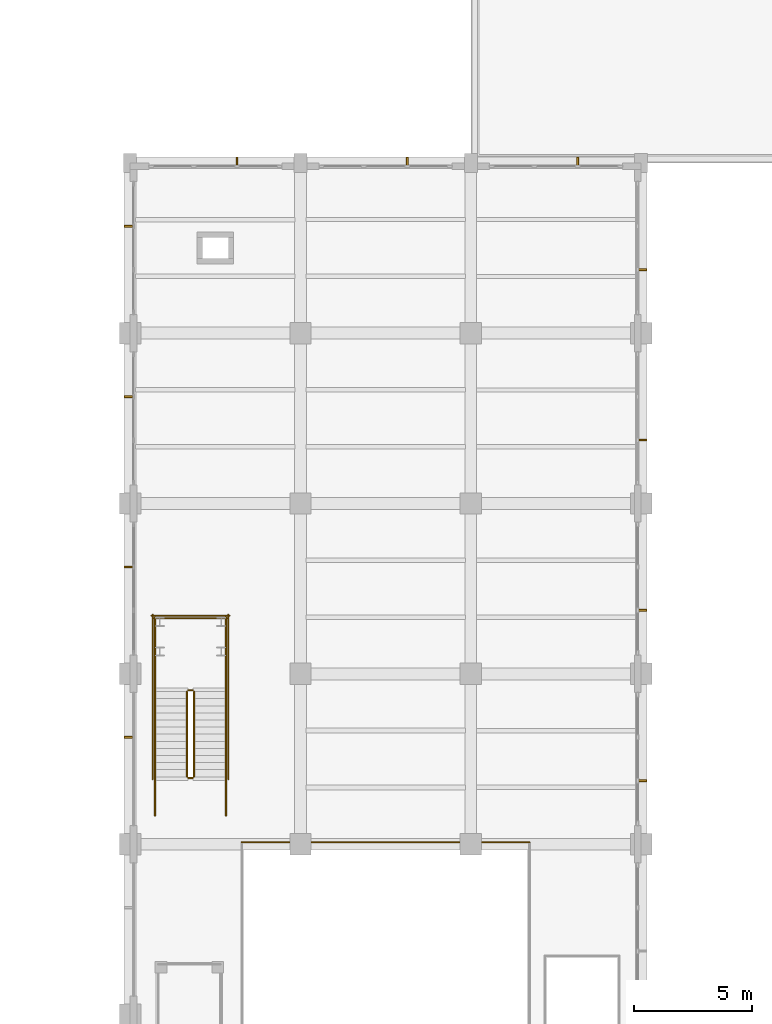
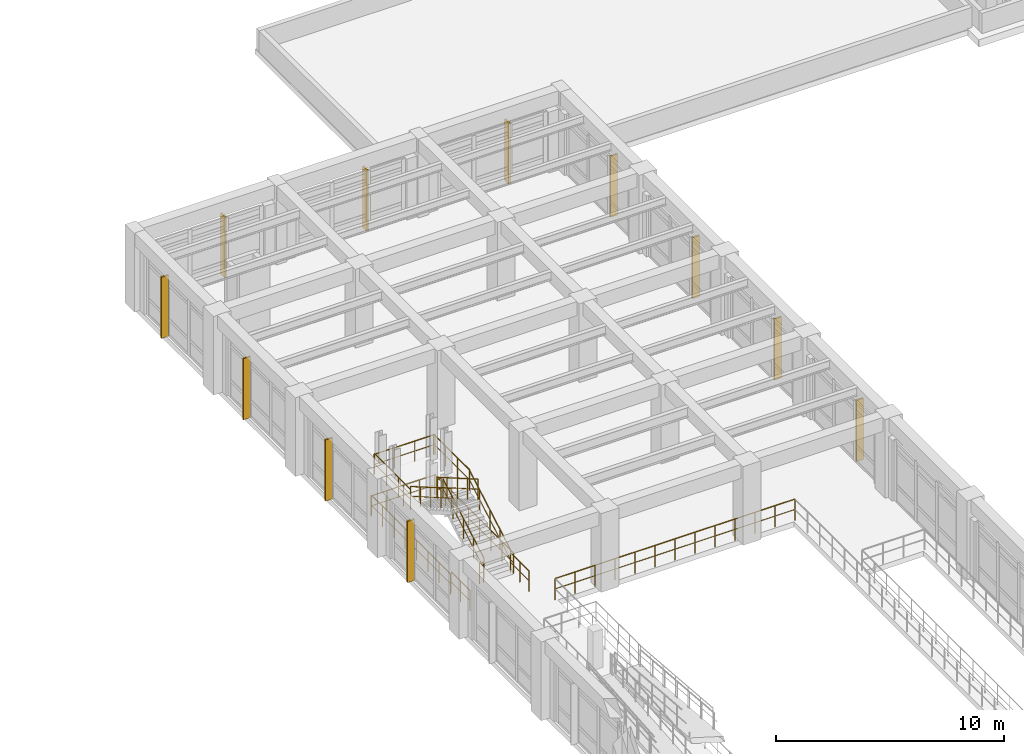
# One storey, part 64 of 69: 15 railings, 11 shading devices.
"""IFC4 building model written with IfcOpenShell, lengths in metres."""

from ifc_helpers import new_model, si_unit, direction, frame, origin, origin_2d, place, context, subcontext, project, spatial, rectangle, circle, extrude, material, material_profile, profile_set, type_object, element, save


model = new_model("IFC4")

# Units and contexts
model_context = context("Model", 3, precision=1e-05, world=origin(), true_north=direction((0.0, 1.0)))
body_context = subcontext(model_context, "Body", "Model", "MODEL_VIEW")
ifc_project = project(units=[si_unit("LENGTHUNIT", "METRE"), si_unit("AREAUNIT", "SQUARE_METRE"), si_unit("VOLUMEUNIT", "CUBIC_METRE"), si_unit("PLANEANGLEUNIT", "RADIAN"), si_unit("MASSUNIT", "GRAM", prefix="KILO")], contexts=[model_context])

# Site, building, storey
site_placement = place(None, origin())
site = spatial("IfcSite", under=ifc_project, at=site_placement, CompositionType="ELEMENT")
building_placement = place(site_placement, origin())
building = spatial("IfcBuilding", under=site, at=building_placement, Name="Solenvale Faculty of Natural Sciences", CompositionType="ELEMENT")
storey_placement = place(building_placement, frame((0.0, 0.0, 4.5)))
storey = spatial("IfcBuildingStorey", under=building, at=storey_placement, Name="L01", CompositionType="ELEMENT", Elevation=4.5)

# Railings
ifc_material_1 = material(Name="Stainless steel Grade 304", Category="steel")
railing_type_1 = type_object("IfcRailingType", Name="RL-GRD-ATR-1150", PredefinedType="GUARDRAIL", material=ifc_material_1)
railing_1_placement = place(storey_placement, frame((38.699951171875, 67.64990234375, 0.173095703125)))
element("IfcRailing", 1, at=railing_1_placement, inside=storey, type_object=railing_type_1, Name="L01 ST-06 stair guard 1", PredefinedType="GUARDRAIL", context=body_context, shape_type="SweptSolid", body=[
    extrude(circle(Radius=0.02392578125, at=origin_2d()), frame((0.0, 0.0, 1.09619140625), z_axis=(0.0, 0.866193409371, 0.499708892819), x_axis=(-1.0, 0.0, 0.0)), (0.0, 0.0, 1.0), 4.15625),
    extrude(circle(Radius=0.01611328125, at=origin_2d()), frame((0.0, 0.0, 0.56005859375), z_axis=(0.0, 0.866193409371, 0.499708892819), x_axis=(-1.0, 0.0, 0.0)), (0.0, 0.0, 1.0), 4.15625),
    extrude(circle(Radius=0.02099609375, at=origin_2d()), origin(), (0.0, 0.0, 1.0), 1.072021484375),
    extrude(circle(Radius=0.02099609375, at=origin_2d()), frame((0.0, 0.89990234375, 0.519287109375)), (0.0, 0.0, 1.0), 1.072021484375),
    extrude(circle(Radius=0.02099609375, at=origin_2d()), frame((0.0, 1.800048828125, 1.03857421875)), (0.0, 0.0, 1.0), 1.072021484375),
    extrude(circle(Radius=0.02099609375, at=origin_2d()), frame((0.0, 2.7001953125, 1.5576171875)), (0.0, 0.0, 1.0), 1.072021484375),
    extrude(circle(Radius=0.02099609375, at=origin_2d()), frame((0.0, 3.60009765625, 2.076904296875)), (0.0, 0.0, 1.0), 1.072021484375),
])
railing_2_placement = place(storey_placement, frame((38.64990234375, 71.300048828125, 2.25)))
element("IfcRailing", 2, at=railing_2_placement, inside=storey, type_object=railing_type_1, Name="L01 ST-06 stair guard 2", PredefinedType="GUARDRAIL", context=body_context, shape_type="SweptSolid", body=[
    extrude(circle(Radius=0.02392578125, at=origin_2d()), frame((0.0, 0.0, 1.09619140625), z_axis=(-1.0, 0.0, 0.0), x_axis=(0.0, -1.0, 0.0)), (0.0, 0.0, 1.0), 0.199951171875),
    extrude(circle(Radius=0.01611328125, at=origin_2d()), frame((0.0, 0.0, 0.56005859375), z_axis=(-1.0, 0.0, 0.0), x_axis=(0.0, -1.0, 0.0)), (0.0, 0.0, 1.0), 0.199951171875),
    extrude(circle(Radius=0.02099609375, at=origin_2d()), origin(), (0.0, 0.0, 1.0), 1.072021484375),
    extrude(circle(Radius=0.02099609375, at=origin_2d()), frame((-0.199951171875, 0.0, 0.0)), (0.0, 0.0, 1.0), 1.072021484375),
])
for number, where, name in (
    (3, (40.050048828125, 71.25, 2.25), "L01 ST-06 stair guard 3"),
    (4, (37.050048828125, 71.25, 2.25), "L01 ST-06 stair guard 4"),
):
    element("IfcRailing", number, at=place(storey_placement, frame(where)), inside=storey, type_object=railing_type_1, Name=name, PredefinedType="GUARDRAIL", context=body_context, shape_type="SweptSolid", body=[
        extrude(circle(Radius=0.02392578125, at=origin_2d()), frame((0.0, 0.0, 1.09619140625), z_axis=(0.0, 1.0, 0.0), x_axis=(-1.0, 0.0, 0.0)), (0.0, 0.0, 1.0), 3.14990234375),
        extrude(circle(Radius=0.01611328125, at=origin_2d()), frame((0.0, 0.0, 0.56005859375), z_axis=(0.0, 1.0, 0.0), x_axis=(-1.0, 0.0, 0.0)), (0.0, 0.0, 1.0), 3.14990234375),
        extrude(circle(Radius=0.02099609375, at=origin_2d()), origin(), (0.0, 0.0, 1.0), 1.072021484375),
        extrude(circle(Radius=0.02099609375, at=origin_2d()), frame((0.0, 1.050048828125, 0.0)), (0.0, 0.0, 1.0), 1.072021484375),
        extrude(circle(Radius=0.02099609375, at=origin_2d()), frame((0.0, 2.099853515625, 0.0)), (0.0, 0.0, 1.0), 1.072021484375),
        extrude(circle(Radius=0.02099609375, at=origin_2d()), frame((0.0, 3.14990234375, 0.0)), (0.0, 0.0, 1.0), 1.072021484375),
    ])
railing_3_placement = place(storey_placement, frame((40.10009765625, 74.35009765625, 2.25)))
element("IfcRailing", 5, at=railing_3_placement, inside=storey, type_object=railing_type_1, Name="L01 ST-06 stair guard 5", PredefinedType="GUARDRAIL", context=body_context, shape_type="SweptSolid", body=[
    extrude(circle(Radius=0.02392578125, at=origin_2d()), frame((0.0, 0.0, 1.09619140625), z_axis=(-1.0, 0.0, 0.0), x_axis=(0.0, -1.0, 0.0)), (0.0, 0.0, 1.0), 3.10009765625),
    extrude(circle(Radius=0.01611328125, at=origin_2d()), frame((0.0, 0.0, 0.56005859375), z_axis=(-1.0, 0.0, 0.0), x_axis=(0.0, -1.0, 0.0)), (0.0, 0.0, 1.0), 3.10009765625),
    extrude(circle(Radius=0.02099609375, at=origin_2d()), origin(), (0.0, 0.0, 1.0), 1.072021484375),
    extrude(circle(Radius=0.02099609375, at=origin_2d()), frame((-1.033447265625, 0.0, 0.0)), (0.0, 0.0, 1.0), 1.072021484375),
    extrude(circle(Radius=0.02099609375, at=origin_2d()), frame((-2.066650390625, 0.0, 0.0)), (0.0, 0.0, 1.0), 1.072021484375),
    extrude(circle(Radius=0.02099609375, at=origin_2d()), frame((-3.10009765625, 0.0, 0.0)), (0.0, 0.0, 1.0), 1.072021484375),
])
railing_4_placement = place(storey_placement, frame((38.39990234375, 71.25, 2.423095703125)))
element("IfcRailing", 6, at=railing_4_placement, inside=storey, type_object=railing_type_1, Name="L01 ST-06 stair guard 6", PredefinedType="GUARDRAIL", context=body_context, shape_type="SweptSolid", body=[
    extrude(circle(Radius=0.02392578125, at=origin_2d()), frame((0.0, 0.0, 1.09619140625), z_axis=(0.0, -0.866193409371, 0.499708892819), x_axis=(1.0, 0.0, 0.0)), (0.0, 0.0, 1.0), 4.15625),
    extrude(circle(Radius=0.01611328125, at=origin_2d()), frame((0.0, 0.0, 0.56005859375), z_axis=(0.0, -0.866193409371, 0.499708892819), x_axis=(1.0, 0.0, 0.0)), (0.0, 0.0, 1.0), 4.15625),
    extrude(circle(Radius=0.02099609375, at=origin_2d()), origin(), (0.0, 0.0, 1.0), 1.072021484375),
    extrude(circle(Radius=0.02099609375, at=origin_2d()), frame((0.0, -0.89990234375, 0.519287109375)), (0.0, 0.0, 1.0), 1.072021484375),
    extrude(circle(Radius=0.02099609375, at=origin_2d()), frame((0.0, -1.800048828125, 1.03857421875)), (0.0, 0.0, 1.0), 1.072021484375),
    extrude(circle(Radius=0.02099609375, at=origin_2d()), frame((0.0, -2.7001953125, 1.5576171875)), (0.0, 0.0, 1.0), 1.072021484375),
    extrude(circle(Radius=0.02099609375, at=origin_2d()), frame((0.0, -3.60009765625, 2.076904296875)), (0.0, 0.0, 1.0), 1.072021484375),
])
railing_5_placement = place(storey_placement, frame((38.64990234375, 67.60009765625, 0.0)))
element("IfcRailing", 7, at=railing_5_placement, inside=storey, type_object=railing_type_1, Name="L01 ST-06 stair guard 7", PredefinedType="GUARDRAIL", context=body_context, shape_type="SweptSolid", body=[
    extrude(circle(Radius=0.02392578125, at=origin_2d()), frame((0.0, 0.0, 1.09619140625), z_axis=(-1.0, 0.0, 0.0), x_axis=(0.0, -1.0, 0.0)), (0.0, 0.0, 1.0), 0.199951171875),
    extrude(circle(Radius=0.01611328125, at=origin_2d()), frame((0.0, 0.0, 0.56005859375), z_axis=(-1.0, 0.0, 0.0), x_axis=(0.0, -1.0, 0.0)), (0.0, 0.0, 1.0), 0.199951171875),
    extrude(circle(Radius=0.02099609375, at=origin_2d()), origin(), (0.0, 0.0, 1.0), 1.072021484375),
    extrude(circle(Radius=0.02099609375, at=origin_2d()), frame((-0.199951171875, 0.0, 0.0)), (0.0, 0.0, 1.0), 1.072021484375),
])
for number, where, name in (
    (8, (40.050048828125, 66.0, 0.0), "L01 ST-06 stair guard 8"),
    (9, (37.050048828125, 66.0, 0.0), "L01 ST-06 stair guard 9"),
):
    element("IfcRailing", number, at=place(storey_placement, frame(where)), inside=storey, type_object=railing_type_1, Name=name, PredefinedType="GUARDRAIL", context=body_context, shape_type="SweptSolid", body=[
        extrude(circle(Radius=0.02392578125, at=origin_2d()), frame((0.0, 0.0, 1.09619140625), z_axis=(0.0, 1.0, 0.0), x_axis=(-1.0, 0.0, 0.0)), (0.0, 0.0, 1.0), 1.64990234375),
        extrude(circle(Radius=0.01611328125, at=origin_2d()), frame((0.0, 0.0, 0.56005859375), z_axis=(0.0, 1.0, 0.0), x_axis=(-1.0, 0.0, 0.0)), (0.0, 0.0, 1.0), 1.64990234375),
        extrude(circle(Radius=0.02099609375, at=origin_2d()), origin(), (0.0, 0.0, 1.0), 1.072021484375),
        extrude(circle(Radius=0.02099609375, at=origin_2d()), frame((0.0, 0.824951171875, 0.0)), (0.0, 0.0, 1.0), 1.072021484375),
        extrude(circle(Radius=0.02099609375, at=origin_2d()), frame((0.0, 1.64990234375, 0.0)), (0.0, 0.0, 1.0), 1.072021484375),
    ])
for number, where, name in (
    (10, (40.14990234375, 67.550048828125, 0.0), "L01 ST-06 stair guard 10"),
    (11, (36.949951171875, 67.550048828125, 0.0), "L01 ST-06 stair guard 11"),
):
    element("IfcRailing", number, at=place(storey_placement, frame(where)), inside=storey, type_object=railing_type_1, Name=name, PredefinedType="GUARDRAIL", context=body_context, shape_type="SweptSolid", body=[
        extrude(circle(Radius=0.02392578125, at=origin_2d()), frame((0.0, 0.0, 1.09619140625), z_axis=(0.0, 1.0, 0.0), x_axis=(-1.0, 0.0, 0.0)), (0.0, 0.0, 1.0), 6.949951171875),
        extrude(circle(Radius=0.01611328125, at=origin_2d()), frame((0.0, 0.0, 0.56005859375), z_axis=(0.0, 1.0, 0.0), x_axis=(-1.0, 0.0, 0.0)), (0.0, 0.0, 1.0), 6.949951171875),
        extrude(circle(Radius=0.02099609375, at=origin_2d()), origin(), (0.0, 0.0, 1.0), 1.072021484375),
        extrude(circle(Radius=0.02099609375, at=origin_2d()), frame((0.0, 0.992919921875, 0.0)), (0.0, 0.0, 1.0), 1.072021484375),
        extrude(circle(Radius=0.02099609375, at=origin_2d()), frame((0.0, 1.985595703125, 0.0)), (0.0, 0.0, 1.0), 1.072021484375),
        extrude(circle(Radius=0.02099609375, at=origin_2d()), frame((0.0, 2.978515625, 0.0)), (0.0, 0.0, 1.0), 1.072021484375),
        extrude(circle(Radius=0.02099609375, at=origin_2d()), frame((0.0, 3.971435546875, 0.0)), (0.0, 0.0, 1.0), 1.072021484375),
        extrude(circle(Radius=0.02099609375, at=origin_2d()), frame((0.0, 4.96435546875, 0.0)), (0.0, 0.0, 1.0), 1.072021484375),
        extrude(circle(Radius=0.02099609375, at=origin_2d()), frame((0.0, 5.95703125, 0.0)), (0.0, 0.0, 1.0), 1.072021484375),
        extrude(circle(Radius=0.02099609375, at=origin_2d()), frame((0.0, 6.949951171875, 0.0)), (0.0, 0.0, 1.0), 1.072021484375),
    ])
railing_6_placement = place(storey_placement, frame((40.199951171875, 74.449951171875, 0.0)))
element("IfcRailing", 12, at=railing_6_placement, inside=storey, type_object=railing_type_1, Name="L01 ST-06 stair guard 12", PredefinedType="GUARDRAIL", context=body_context, shape_type="SweptSolid", body=[
    extrude(circle(Radius=0.02392578125, at=origin_2d()), frame((0.0, 0.0, 1.09619140625), z_axis=(-1.0, 0.0, 0.0), x_axis=(0.0, -1.0, 0.0)), (0.0, 0.0, 1.0), 3.300048828125),
    extrude(circle(Radius=0.01611328125, at=origin_2d()), frame((0.0, 0.0, 0.56005859375), z_axis=(-1.0, 0.0, 0.0), x_axis=(0.0, -1.0, 0.0)), (0.0, 0.0, 1.0), 3.300048828125),
    extrude(circle(Radius=0.02099609375, at=origin_2d()), origin(), (0.0, 0.0, 1.0), 1.072021484375),
    extrude(circle(Radius=0.02099609375, at=origin_2d()), frame((-0.824951171875, 0.0, 0.0)), (0.0, 0.0, 1.0), 1.072021484375),
    extrude(circle(Radius=0.02099609375, at=origin_2d()), frame((-1.64990234375, 0.0, 0.0)), (0.0, 0.0, 1.0), 1.072021484375),
    extrude(circle(Radius=0.02099609375, at=origin_2d()), frame((-2.47509765625, 0.0, 0.0)), (0.0, 0.0, 1.0), 1.072021484375),
    extrude(circle(Radius=0.02099609375, at=origin_2d()), frame((-3.300048828125, 0.0, 0.0)), (0.0, 0.0, 1.0), 1.072021484375),
])
railing_7_placement = place(storey_placement, frame((52.8798828125, 64.8798828125, 0.0)))
element("IfcRailing", 13, at=railing_7_placement, inside=storey, type_object=railing_type_1, Name="L01 Atrium Gallery Guardrail N", PredefinedType="GUARDRAIL", context=body_context, shape_type="SweptSolid", body=[
    extrude(circle(Radius=0.02392578125, at=origin_2d()), frame((0.0, 0.0, 1.1357421875), z_axis=(-1.0, 0.0, 0.0), x_axis=(0.0, -1.0, 0.0)), (0.0, 0.0, 1.0), 12.159912109375),
    extrude(circle(Radius=0.01611328125, at=origin_2d()), frame((0.0, 0.0, 0.580078125), z_axis=(-1.0, 0.0, 0.0), x_axis=(0.0, -1.0, 0.0)), (0.0, 0.0, 1.0), 12.159912109375),
    extrude(circle(Radius=0.02099609375, at=origin_2d()), origin(), (0.0, 0.0, 1.0), 1.11181640625),
    extrude(circle(Radius=0.02099609375, at=origin_2d()), frame((-1.013427734375, 0.0, 0.0)), (0.0, 0.0, 1.0), 1.11181640625),
    extrude(circle(Radius=0.02099609375, at=origin_2d()), frame((-2.026611328125, 0.0, 0.0)), (0.0, 0.0, 1.0), 1.11181640625),
    extrude(circle(Radius=0.02099609375, at=origin_2d()), frame((-3.0400390625, 0.0, 0.0)), (0.0, 0.0, 1.0), 1.11181640625),
    extrude(circle(Radius=0.02099609375, at=origin_2d()), frame((-4.05322265625, 0.0, 0.0)), (0.0, 0.0, 1.0), 1.11181640625),
    extrude(circle(Radius=0.02099609375, at=origin_2d()), frame((-5.066650390625, 0.0, 0.0)), (0.0, 0.0, 1.0), 1.11181640625),
    extrude(circle(Radius=0.02099609375, at=origin_2d()), frame((-6.080078125, 0.0, 0.0)), (0.0, 0.0, 1.0), 1.11181640625),
    extrude(circle(Radius=0.02099609375, at=origin_2d()), frame((-7.09326171875, 0.0, 0.0)), (0.0, 0.0, 1.0), 1.11181640625),
    extrude(circle(Radius=0.02099609375, at=origin_2d()), frame((-8.106689453125, 0.0, 0.0)), (0.0, 0.0, 1.0), 1.11181640625),
    extrude(circle(Radius=0.02099609375, at=origin_2d()), frame((-9.119873046875, 0.0, 0.0)), (0.0, 0.0, 1.0), 1.11181640625),
    extrude(circle(Radius=0.02099609375, at=origin_2d()), frame((-10.13330078125, 0.0, 0.0)), (0.0, 0.0, 1.0), 1.11181640625),
    extrude(circle(Radius=0.02099609375, at=origin_2d()), frame((-11.146484375, 0.0, 0.0)), (0.0, 0.0, 1.0), 1.11181640625),
    extrude(circle(Radius=0.02099609375, at=origin_2d()), frame((-12.159912109375, 0.0, 0.0)), (0.0, 0.0, 1.0), 1.11181640625),
])
railing_type_2 = type_object("IfcRailingType", Name="RL-HND-900", PredefinedType="HANDRAIL", material=ifc_material_1)
railing_8_placement = place(storey_placement, frame((40.050048828125, 67.64990234375, 0.173095703125)))
element("IfcRailing", 14, at=railing_8_placement, inside=storey, type_object=railing_type_2, Name="L01 ST-06 stair handrail 1", PredefinedType="HANDRAIL", context=body_context, shape_type="SweptSolid", body=[
    extrude(circle(Radius=0.02392578125, at=origin_2d()), frame((0.0, 0.0, 1.0732421875), z_axis=(0.0, 0.866193409371, 0.499708892819), x_axis=(-1.0, 0.0, 0.0)), (0.0, 0.0, 1.0), 4.15625),
    extrude(circle(Radius=0.01611328125, at=origin_2d()), frame((0.0, 0.0, 0.548583984375), z_axis=(0.0, 0.866193409371, 0.499708892819), x_axis=(-1.0, 0.0, 0.0)), (0.0, 0.0, 1.0), 4.15625),
    extrude(circle(Radius=0.02099609375, at=origin_2d()), origin(), (0.0, 0.0, 1.0), 1.049072265625),
    extrude(circle(Radius=0.02099609375, at=origin_2d()), frame((0.0, 0.89990234375, 0.519287109375)), (0.0, 0.0, 1.0), 1.049072265625),
    extrude(circle(Radius=0.02099609375, at=origin_2d()), frame((0.0, 1.800048828125, 1.03857421875)), (0.0, 0.0, 1.0), 1.049072265625),
    extrude(circle(Radius=0.02099609375, at=origin_2d()), frame((0.0, 2.7001953125, 1.5576171875)), (0.0, 0.0, 1.0), 1.049072265625),
    extrude(circle(Radius=0.02099609375, at=origin_2d()), frame((0.0, 3.60009765625, 2.076904296875)), (0.0, 0.0, 1.0), 1.049072265625),
])
railing_9_placement = place(storey_placement, frame((37.050048828125, 71.25, 2.423095703125)))
element("IfcRailing", 15, at=railing_9_placement, inside=storey, type_object=railing_type_2, Name="L01 ST-06 stair handrail 2", PredefinedType="HANDRAIL", context=body_context, shape_type="SweptSolid", body=[
    extrude(circle(Radius=0.02392578125, at=origin_2d()), frame((0.0, 0.0, 1.0732421875), z_axis=(0.0, -0.866193409371, 0.499708892819), x_axis=(1.0, 0.0, 0.0)), (0.0, 0.0, 1.0), 4.15625),
    extrude(circle(Radius=0.01611328125, at=origin_2d()), frame((0.0, 0.0, 0.548583984375), z_axis=(0.0, -0.866193409371, 0.499708892819), x_axis=(1.0, 0.0, 0.0)), (0.0, 0.0, 1.0), 4.15625),
    extrude(circle(Radius=0.02099609375, at=origin_2d()), origin(), (0.0, 0.0, 1.0), 1.049072265625),
    extrude(circle(Radius=0.02099609375, at=origin_2d()), frame((0.0, -0.89990234375, 0.519287109375)), (0.0, 0.0, 1.0), 1.049072265625),
    extrude(circle(Radius=0.02099609375, at=origin_2d()), frame((0.0, -1.800048828125, 1.03857421875)), (0.0, 0.0, 1.0), 1.049072265625),
    extrude(circle(Radius=0.02099609375, at=origin_2d()), frame((0.0, -2.7001953125, 1.5576171875)), (0.0, 0.0, 1.0), 1.049072265625),
    extrude(circle(Radius=0.02099609375, at=origin_2d()), frame((0.0, -3.60009765625, 2.076904296875)), (0.0, 0.0, 1.0), 1.049072265625),
])

# Shading devices
ifc_material_2 = material(Name="Anodised bronze aluminium", Category="aluminium")
ifc_material_profile = material_profile(ifc_material_2, rectangle(XDim=0.080078125, YDim=0.360107421875, at=origin_2d()), Name="ALU-FIN-80x360")
ifc_profile_set = profile_set([ifc_material_profile], Name="Anodised bronze aluminium")
shading_device_type = type_object("IfcShadingDeviceType", Name="SHD-FIN-360", PredefinedType="JALOUSIE", material=ifc_profile_set)
for number, where, z_axis, x_axis, name in (
    (16, (57.659912109375, 67.4833984375, -0.02001953125), (0.0, 0.0, 1.0), (0.0, 1.0, 0.0), "L01 Vertical Brise-Soleil Fin 12.4"),
    (17, (57.659912109375, 74.683349609375, -0.02001953125), (0.0, 0.0, 1.0), (0.0, 1.0, 0.0), "L01 Vertical Brise-Soleil Fin 12.5"),
    (18, (57.659912109375, 81.88330078125, -0.02001953125), (0.0, 0.0, 1.0), (0.0, 1.0, 0.0), "L01 Vertical Brise-Soleil Fin 12.6"),
    (19, (57.659912109375, 89.083251953125, -0.02001953125), (0.0, 0.0, 1.0), (0.0, 1.0, 0.0), "L01 Vertical Brise-Soleil Fin 12.7"),
    (20, (54.916748046875, 93.659912109375, -0.02001953125), (0.0, 0.0, 1.0), (1.0, 0.0, 0.0), "L01 Vertical Brise-Soleil Fin 13.1"),
    (21, (47.716552734375, 93.659912109375, -0.02001953125), (0.0, 0.0, 1.0), (1.0, 0.0, 0.0), "L01 Vertical Brise-Soleil Fin 13.2"),
    (22, (40.5166015625, 93.659912109375, -0.02001953125), (0.0, 0.0, 1.0), (1.0, 0.0, 0.0), "L01 Vertical Brise-Soleil Fin 13.3"),
    (23, (35.93994140625, 90.916748046875, -0.02001953125), (0.0, 0.0, 1.0), (0.0, 1.0, 0.0), "L01 Vertical Brise-Soleil Fin 14.1"),
    (24, (35.93994140625, 83.716552734375, -0.02001953125), (0.0, 0.0, 1.0), (0.0, 1.0, 0.0), "L01 Vertical Brise-Soleil Fin 14.2"),
    (25, (35.93994140625, 76.5166015625, -0.02001953125), (0.0, 0.0, 1.0), (0.0, 1.0, 0.0), "L01 Vertical Brise-Soleil Fin 14.3"),
    (26, (35.93994140625, 69.316650390625, -0.02001953125), (0.0, 0.0, 1.0), (0.0, 1.0, 0.0), "L01 Vertical Brise-Soleil Fin 14.4"),
):
    element("IfcShadingDevice", number, at=place(storey_placement, frame(where, z_axis=z_axis, x_axis=x_axis)), inside=storey, type_object=shading_device_type, Name=name, PredefinedType="JALOUSIE", context=body_context, shape_type="SweptSolid", body=[
        extrude(rectangle(XDim=0.080078125, YDim=0.360107421875, at=origin_2d()), origin(), (0.0, 0.0, 1.0), 3.280029296875),
    ])

save(model, "model.ifc")
